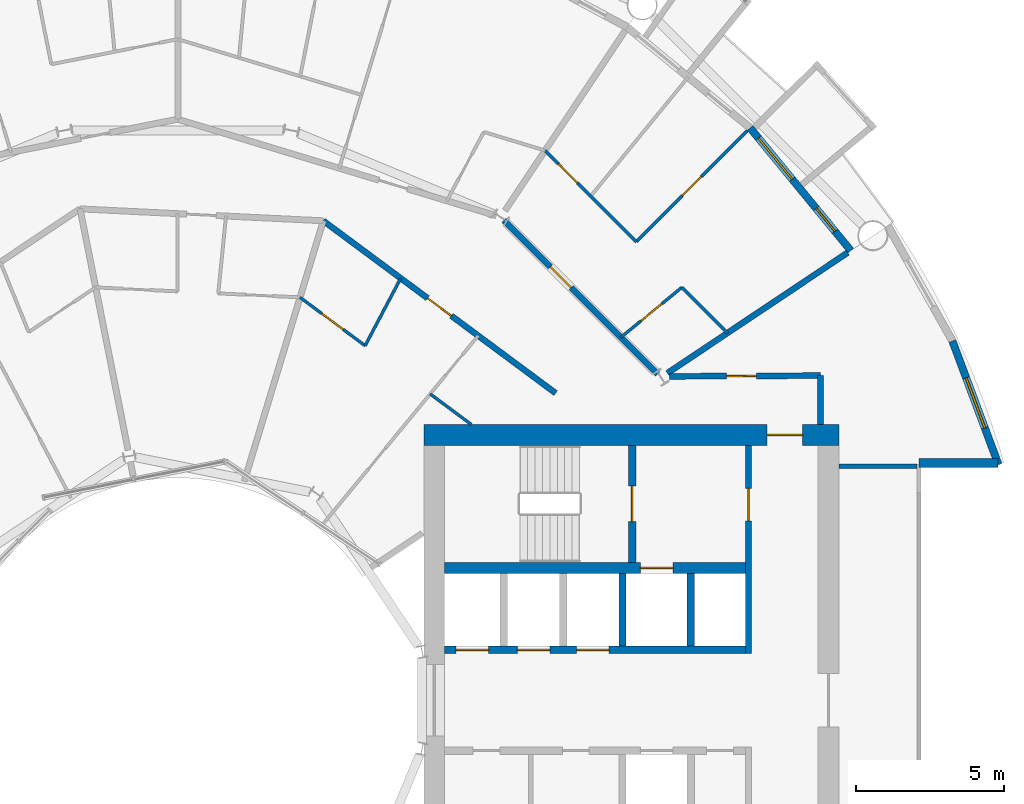
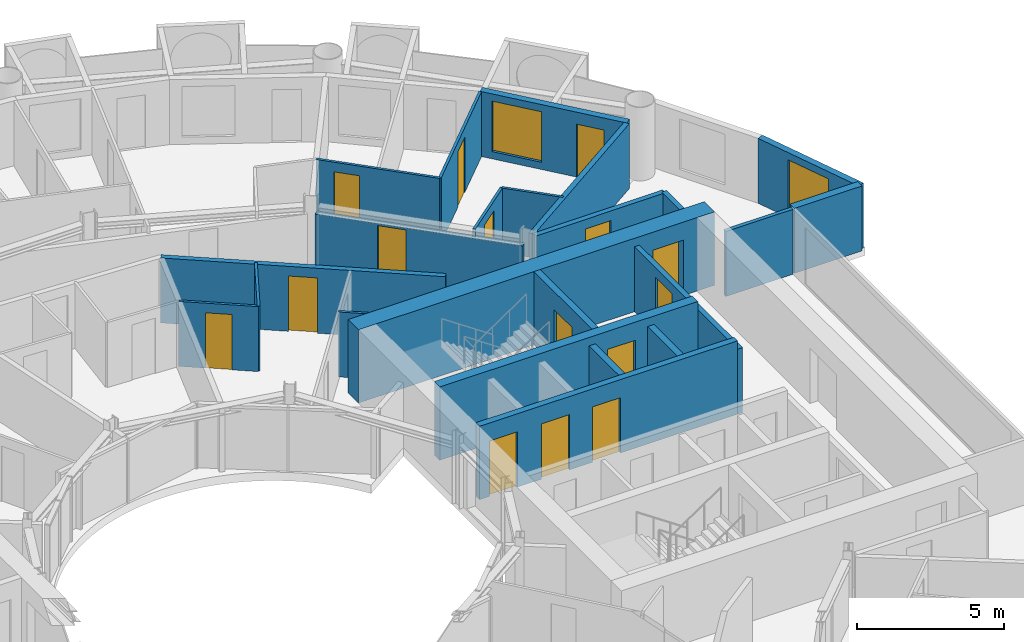
# One storey, part 21 of 26: 23 walls, 15 doors, 2 windows, 17 openings.
"""IFC4 building model written with IfcOpenShell, lengths in metres."""

from ifc_helpers import new_model, si_unit, direction, frame, frame_2d, origin, place, context, subcontext, project, spatial, rectangle, extrude, material, layer, layer_set, type_object, element, fill, save


model = new_model("IFC4")

# Units and contexts
model_context = context("Model", 3, precision=1e-05, world=origin(), true_north=direction((0.0, 1.0)))
body_context = subcontext(model_context, "Body", "Model", "MODEL_VIEW")
ifc_project = project(units=[si_unit("LENGTHUNIT", "METRE"), si_unit("AREAUNIT", "SQUARE_METRE"), si_unit("VOLUMEUNIT", "CUBIC_METRE"), si_unit("PLANEANGLEUNIT", "RADIAN"), si_unit("MASSUNIT", "GRAM", prefix="KILO")], contexts=[model_context])

# Site, building, storey
site_placement = place(None, origin())
site = spatial("IfcSite", under=ifc_project, at=site_placement, CompositionType="ELEMENT")
building_placement = place(site_placement, origin())
building = spatial("IfcBuilding", under=site, at=building_placement, Name="Maasbend Ring Residences", CompositionType="ELEMENT")
storey_placement = place(building_placement, frame((0.0, 0.0, 88.0)))
storey = spatial("IfcBuildingStorey", under=building, at=storey_placement, Name="L25", CompositionType="ELEMENT", Elevation=88.0)

# Wall, openings, doors
ifc_material_1 = material(Name="Concrete C70/85", Category="concrete")
ifc_layer_1 = layer(ifc_material_1, 0.25)
ifc_layer_set_1 = layer_set([ifc_layer_1], Name="Concrete C70/85")
wall_type_1 = type_object("IfcWallType", Name="CORE WALL 250 C70/85", PredefinedType="SHEAR", material=ifc_layer_set_1)
wall_1_placement = place(storey_placement, frame((9.0, 1.699951171875, 0.0), z_axis=(0.0, 0.0, 1.0), x_axis=(1.0, 0.0, 0.0)))
wall_1 = element("IfcWall", 1, at=wall_1_placement, inside=storey, type_object=wall_type_1, Name="L25 core E wall SPN", PredefinedType="SHEAR", context=body_context, shape_type="SweptSolid", body=[
    extrude(rectangle(XDim=10.14990234375, YDim=0.25, at=frame_2d((5.074951171875, 0.0))), origin(), (0.0, 0.0, 1.0), 3.050048828125),
])
opening_1_placement = place(wall_1_placement, frame((0.387451171875, 0.0, 0.0)))
opening_1 = element("IfcOpeningElement", 2, at=opening_1_placement, cuts=wall_1, Name="Opening LD-E2501", PredefinedType="OPENING", context=body_context, shape_type="SweptSolid", body=[
    extrude(rectangle(XDim=1.10009765625, YDim=2.300048828125, at=frame_2d((0.550048828125, 1.14990234375))), frame((0.0, 0.135009765625, 0.0), z_axis=(0.0, -1.0, 0.0), x_axis=(1.0, 0.0, 0.0)), (0.0, 0.0, 1.0), 0.27001953125),
])
opening_2_placement = place(wall_1_placement, frame((2.449951171875, 0.0, 0.0)))
opening_2 = element("IfcOpeningElement", 3, at=opening_2_placement, cuts=wall_1, Name="Opening LD-E2502", PredefinedType="OPENING", context=body_context, shape_type="SweptSolid", body=[
    extrude(rectangle(XDim=1.10009765625, YDim=2.300048828125, at=frame_2d((0.550048828125, 1.14990234375))), frame((0.0, 0.135009765625, 0.0), z_axis=(0.0, -1.0, 0.0), x_axis=(1.0, 0.0, 0.0)), (0.0, 0.0, 1.0), 0.27001953125),
])
opening_3_placement = place(wall_1_placement, frame((4.449951171875, 0.0, 0.0)))
opening_3 = element("IfcOpeningElement", 4, at=opening_3_placement, cuts=wall_1, Name="Opening LD-E2503", PredefinedType="OPENING", context=body_context, shape_type="SweptSolid", body=[
    extrude(rectangle(XDim=1.10009765625, YDim=2.300048828125, at=frame_2d((0.550048828125, 1.14990234375))), frame((0.0, 0.135009765625, 0.0), z_axis=(0.0, -1.0, 0.0), x_axis=(1.0, 0.0, 0.0)), (0.0, 0.0, 1.0), 0.27001953125),
])
ifc_material_2 = material(Name="Stainless steel 316", Category="steel")
door_type_1 = type_object("IfcDoorType", Name="LANDING DOOR 1100 X 2300 FD60", OperationType="DOUBLE_DOOR_SLIDING", PredefinedType="DOOR", material=ifc_material_2)
door_1_placement = place(opening_1_placement, origin())
door_1 = element("IfcDoor", 5, at=door_1_placement, inside=storey, type_object=door_type_1, Name="Landing door LR-E1 L25", OperationType="DOUBLE_DOOR_SLIDING", OverallHeight=2.300048828125, OverallWidth=1.10009765625, PredefinedType="DOOR", context=body_context, shape_type="SweptSolid", body=[
    extrude(rectangle(XDim=1.10009765625, YDim=2.300048828125, at=frame_2d((0.550048828125, 1.14990234375))), frame((0.0, 0.02490234375, 0.0), z_axis=(0.0, -1.0, 0.0), x_axis=(1.0, 0.0, 0.0)), (0.0, 0.0, 1.0), 0.050048828125),
])
fill(opening_1, door_1)
door_2_placement = place(opening_2_placement, origin())
door_2 = element("IfcDoor", 6, at=door_2_placement, inside=storey, type_object=door_type_1, Name="Landing door LR-E2 L25", OperationType="DOUBLE_DOOR_SLIDING", OverallHeight=2.300048828125, OverallWidth=1.10009765625, PredefinedType="DOOR", context=body_context, shape_type="SweptSolid", body=[
    extrude(rectangle(XDim=1.10009765625, YDim=2.300048828125, at=frame_2d((0.550048828125, 1.14990234375))), frame((0.0, 0.02490234375, 0.0), z_axis=(0.0, -1.0, 0.0), x_axis=(1.0, 0.0, 0.0)), (0.0, 0.0, 1.0), 0.050048828125),
])
fill(opening_2, door_2)
door_3_placement = place(opening_3_placement, origin())
door_3 = element("IfcDoor", 7, at=door_3_placement, inside=storey, type_object=door_type_1, Name="Landing door LR-E3 L25", OperationType="DOUBLE_DOOR_SLIDING", OverallHeight=2.300048828125, OverallWidth=1.10009765625, PredefinedType="DOOR", context=body_context, shape_type="SweptSolid", body=[
    extrude(rectangle(XDim=1.10009765625, YDim=2.300048828125, at=frame_2d((0.550048828125, 1.14990234375))), frame((0.0, 0.02490234375, 0.0), z_axis=(0.0, -1.0, 0.0), x_axis=(1.0, 0.0, 0.0)), (0.0, 0.0, 1.0), 0.050048828125),
])
fill(opening_3, door_3)

# Wall, opening, door
wall_2_placement = place(storey_placement, frame((15.324951171875, 4.64990234375, 0.0), z_axis=(0.0, 0.0, 1.0), x_axis=(0.0, 1.0, 0.0)))
wall_2 = element("IfcWall", 8, at=wall_2_placement, inside=storey, type_object=wall_type_1, Name="L25 core E wall STEN", PredefinedType="SHEAR", context=body_context, shape_type="SweptSolid", body=[
    extrude(rectangle(XDim=3.9501953125, YDim=0.25, at=frame_2d((1.97509765625, 0.0))), origin(), (0.0, 0.0, 1.0), 3.050048828125),
])
opening_4_placement = place(wall_2_placement, frame((1.375, 0.0, 0.0)))
opening_4 = element("IfcOpeningElement", 9, at=opening_4_placement, cuts=wall_2, Name="Opening D-E2510", PredefinedType="OPENING", context=body_context, shape_type="SweptSolid", body=[
    extrude(rectangle(XDim=1.199951171875, YDim=2.300048828125, at=frame_2d((0.60009765625, 1.14990234375))), frame((0.0, 0.135009765625, 0.0), z_axis=(0.0, -1.0, 0.0), x_axis=(1.0, 0.0, 0.0)), (0.0, 0.0, 1.0), 0.27001953125),
])
ifc_material_3 = material(Name="Steel, powder coated", Category="steel")
door_type_2 = type_object("IfcDoorType", Name="STAIR DOOR 1200 X 2300 FD60", OperationType="NOTDEFINED", PredefinedType="DOOR", material=ifc_material_3)
door_4_placement = place(opening_4_placement, origin())
door_4 = element("IfcDoor", 10, at=door_4_placement, inside=storey, type_object=door_type_2, Name="Stair door ST-E L25", OperationType="SINGLE_SWING_LEFT", OverallHeight=2.300048828125, OverallWidth=1.199951171875, PredefinedType="DOOR", context=body_context, shape_type="SweptSolid", body=[
    extrude(rectangle(XDim=1.199951171875, YDim=2.300048828125, at=frame_2d((0.60009765625, 1.14990234375))), frame((0.0, 0.02490234375, 0.0), z_axis=(0.0, -1.0, 0.0), x_axis=(1.0, 0.0, 0.0)), (0.0, 0.0, 1.0), 0.050048828125),
])
fill(opening_4, door_4)

ifc_material_4 = material(Name="Concrete C70/85", Category="concrete")
ifc_layer_2 = layer(ifc_material_4, 0.375)
ifc_layer_set_2 = layer_set([ifc_layer_2], Name="Concrete C70/85")
wall_type_2 = type_object("IfcWallType", Name="CORE WALL 375 C70/85", PredefinedType="SHEAR", material=ifc_layer_set_2)
wall_3_placement = place(storey_placement, frame((9.0, 4.46240234375, 0.0), z_axis=(0.0, 0.0, 1.0), x_axis=(1.0, 0.0, 0.0)))
wall_3 = element("IfcWall", 11, at=wall_3_placement, inside=storey, type_object=wall_type_2, Name="L25 core E wall BN", PredefinedType="SHEAR", context=body_context, shape_type="SweptSolid", body=[
    extrude(rectangle(XDim=10.14990234375, YDim=0.375, at=frame_2d((5.074951171875, 0.0))), origin(), (0.0, 0.0, 1.0), 3.050048828125),
])
opening_5_placement = place(wall_3_placement, frame((6.60009765625, 0.0, 0.0)))
opening_5 = element("IfcOpeningElement", 12, at=opening_5_placement, cuts=wall_3, Name="Opening LD-E2504", PredefinedType="OPENING", context=body_context, shape_type="SweptSolid", body=[
    extrude(rectangle(XDim=1.10009765625, YDim=2.300048828125, at=frame_2d((0.550048828125, 1.14990234375))), frame((0.0, 0.197509765625, 0.0), z_axis=(0.0, -1.0, 0.0), x_axis=(1.0, 0.0, 0.0)), (0.0, 0.0, 1.0), 0.39501953125),
])
door_5_placement = place(opening_5_placement, origin())
door_5 = element("IfcDoor", 13, at=door_5_placement, inside=storey, type_object=door_type_1, Name="Landing door FF-E L25", OperationType="DOUBLE_DOOR_SLIDING", OverallHeight=2.300048828125, OverallWidth=1.10009765625, PredefinedType="DOOR", context=body_context, shape_type="SweptSolid", body=[
    extrude(rectangle(XDim=1.10009765625, YDim=2.300048828125, at=frame_2d((0.550048828125, 1.14990234375))), frame((0.0, 0.02490234375, 0.0), z_axis=(0.0, -1.0, 0.0), x_axis=(1.0, 0.0, 0.0)), (0.0, 0.0, 1.0), 0.050048828125),
])
fill(opening_5, door_5)

ifc_material_5 = material(Name="Concrete C70/85", Category="concrete")
ifc_layer_3 = layer(ifc_material_5, 0.699951171875)
ifc_layer_set_3 = layer_set([ifc_layer_3], Name="Concrete C70/85")
wall_type_3 = type_object("IfcWallType", Name="CORE WALL 700 C70/85", PredefinedType="SHEAR", material=ifc_layer_set_3)
wall_4_placement = place(storey_placement, frame((22.300048828125, 8.949951171875, 0.0), z_axis=(0.0, 0.0, 1.0), x_axis=(-1.0, 0.0, 0.0)))
wall_4 = element("IfcWall", 14, at=wall_4_placement, inside=storey, type_object=wall_type_3, Name="L25 core E wall PN", PredefinedType="SHEAR", context=body_context, shape_type="SweptSolid", body=[
    extrude(rectangle(XDim=14.0, YDim=0.699951171875, at=frame_2d((7.0, 0.0))), origin(), (0.0, 0.0, 1.0), 3.050048828125),
])
opening_6_placement = place(wall_4_placement, frame((1.22509765625, 0.0, 0.0)))
opening_6 = element("IfcOpeningElement", 15, at=opening_6_placement, cuts=wall_4, Name="Opening D-E2514", PredefinedType="OPENING", context=body_context, shape_type="SweptSolid", body=[
    extrude(rectangle(XDim=1.199951171875, YDim=2.300048828125, at=frame_2d((0.60009765625, 1.14990234375))), frame((0.0, 0.35986328125, 0.0), z_axis=(0.0, -1.0, 0.0), x_axis=(1.0, 0.0, 0.0)), (0.0, 0.0, 1.0), 0.719970703125),
])
ifc_material_6 = material(Name="Steel, powder coated", Category="steel")
door_type_3 = type_object("IfcDoorType", Name="CORRIDOR DOOR 1200 X 2300 FD30S", OperationType="NOTDEFINED", PredefinedType="DOOR", material=ifc_material_6)
door_6_placement = place(opening_6_placement, origin())
door_6 = element("IfcDoor", 16, at=door_6_placement, inside=storey, type_object=door_type_3, Name="Corridor door L25", OperationType="SINGLE_SWING_RIGHT", OverallHeight=2.300048828125, OverallWidth=1.199951171875, PredefinedType="DOOR", context=body_context, shape_type="SweptSolid", body=[
    extrude(rectangle(XDim=1.199951171875, YDim=2.300048828125, at=frame_2d((0.60009765625, 1.14990234375))), frame((0.0, 0.02490234375, 0.0), z_axis=(0.0, -1.0, 0.0), x_axis=(1.0, 0.0, 0.0)), (0.0, 0.0, 1.0), 0.050048828125),
])
fill(opening_6, door_6)

# Wall
ifc_material_7 = material(Name="Concrete C30/37", Category="concrete")
ifc_layer_4 = layer(ifc_material_7, 0.199951171875)
ifc_layer_set_4 = layer_set([ifc_layer_4], Name="Concrete C30/37")
wall_type_4 = type_object("IfcWallType", Name="CORRIDOR WALL 200 CONCRETE", PredefinedType="PARTITIONING", material=ifc_layer_set_4)
wall_5_placement = place(storey_placement, frame((21.675048828125, 9.300048828125, 0.0), z_axis=(0.0, 0.0, 1.0), x_axis=(0.0, 1.0, 0.0)))
element("IfcWall", 17, at=wall_5_placement, inside=storey, type_object=wall_type_4, Name="U-L25-w006", PredefinedType="PARTITIONING", context=body_context, shape_type="SweptSolid", body=[
    extrude(rectangle(XDim=1.64990234375, YDim=0.199951171875, at=frame_2d((0.824951171875, 0.0))), origin(), (0.0, 0.0, 1.0), 2.699951171875),
])

# Wall, opening, door
wall_6_placement = place(storey_placement, frame((16.587890625, 10.925048828125, 0.0), z_axis=(0.0, 0.0, 1.0), x_axis=(0.999988019025, 0.004895079807, 0.0)))
wall_6 = element("IfcWall", 18, at=wall_6_placement, inside=storey, type_object=wall_type_4, Name="U-L25-w087", PredefinedType="PARTITIONING", context=body_context, shape_type="SweptSolid", body=[
    extrude(rectangle(XDim=5.087158203125, YDim=0.199951171875, at=frame_2d((2.54345703125, 0.0))), origin(), (0.0, 0.0, 1.0), 2.699951171875),
])
opening_7_placement = place(wall_6_placement, frame((1.925048828125, 0.0, 0.0)))
opening_7 = element("IfcOpeningElement", 19, at=opening_7_placement, cuts=wall_6, Name="Opening D-2566", PredefinedType="OPENING", context=body_context, shape_type="SweptSolid", body=[
    extrude(rectangle(XDim=1.0, YDim=2.300048828125, at=frame_2d((0.5, 1.14990234375))), frame((0.0, 0.10986328125, 0.0), z_axis=(0.0, -1.0, 0.0), x_axis=(1.0, 0.0, 0.0)), (0.0, 0.0, 1.0), 0.219970703125),
])
ifc_material_8 = material(Name="Timber, painted", Category="wood")
door_type_4 = type_object("IfcDoorType", Name="ROOM DOOR 1000 X 2300", OperationType="NOTDEFINED", PredefinedType="DOOR", material=ifc_material_8)
door_7_placement = place(opening_7_placement, origin())
door_7 = element("IfcDoor", 20, at=door_7_placement, inside=storey, type_object=door_type_4, Name="D-2566", OperationType="SINGLE_SWING_LEFT", OverallHeight=2.300048828125, OverallWidth=1.0, PredefinedType="DOOR", context=body_context, shape_type="SweptSolid", body=[
    extrude(rectangle(XDim=1.0, YDim=2.300048828125, at=frame_2d((0.5, 1.14990234375))), frame((0.0, 0.02490234375, 0.0), z_axis=(0.0, -1.0, 0.0), x_axis=(1.0, 0.0, 0.0)), (0.0, 0.0, 1.0), 0.050048828125),
])
fill(opening_7, door_7)

wall_7_placement = place(storey_placement, frame((4.906005859375, 16.172119140625, 0.0), z_axis=(0.0, 0.0, 1.0), x_axis=(0.803191461888, -0.595720971219, 0.0)))
wall_7 = element("IfcWall", 21, at=wall_7_placement, inside=storey, type_object=wall_type_4, Name="U-L25-w096", PredefinedType="PARTITIONING", context=body_context, shape_type="SweptSolid", body=[
    extrude(rectangle(XDim=9.760009765625, YDim=0.199951171875, at=frame_2d((4.8798828125, 0.0))), origin(), (0.0, 0.0, 1.0), 2.699951171875),
])
opening_8_placement = place(wall_7_placement, frame((4.3798828125, 0.0, 0.0)))
opening_8 = element("IfcOpeningElement", 22, at=opening_8_placement, cuts=wall_7, Name="Opening D-2521", PredefinedType="OPENING", context=body_context, shape_type="SweptSolid", body=[
    extrude(rectangle(XDim=1.0, YDim=2.300048828125, at=frame_2d((0.5, 1.14990234375))), frame((0.0, 0.10986328125, 0.0), z_axis=(0.0, -1.0, 0.0), x_axis=(1.0, 0.0, 0.0)), (0.0, 0.0, 1.0), 0.219970703125),
])
ifc_material_9 = material(Name="Timber, fire-rated, painted", Category="wood")
door_type_5 = type_object("IfcDoorType", Name="FLAT ENTRANCE DOOR 1000 X 2300 FIRE-RATED", OperationType="NOTDEFINED", PredefinedType="DOOR", material=ifc_material_9)
door_8_placement = place(opening_8_placement, origin())
door_8 = element("IfcDoor", 23, at=door_8_placement, inside=storey, type_object=door_type_5, Name="D-2521", OperationType="SINGLE_SWING_LEFT", OverallHeight=2.300048828125, OverallWidth=1.0, PredefinedType="DOOR", context=body_context, shape_type="SweptSolid", body=[
    extrude(rectangle(XDim=1.0, YDim=2.300048828125, at=frame_2d((0.5, 1.14990234375))), frame((0.0, 0.02490234375, 0.0), z_axis=(0.0, -1.0, 0.0), x_axis=(1.0, 0.0, 0.0)), (0.0, 0.0, 1.0), 0.050048828125),
])
fill(opening_8, door_8)

wall_8_placement = place(storey_placement, frame((11.0, 16.18603515625, 0.0), z_axis=(0.0, 0.0, 1.0), x_axis=(0.707106781187, -0.707106781187, 0.0)))
wall_8 = element("IfcWall", 24, at=wall_8_placement, inside=storey, type_object=wall_type_4, Name="U-L25-w101", PredefinedType="PARTITIONING", context=body_context, shape_type="SweptSolid", body=[
    extrude(rectangle(XDim=7.334228515625, YDim=0.199951171875, at=frame_2d((3.6669921875, 0.0))), origin(), (0.0, 0.0, 1.0), 2.3798828125),
])
opening_9_placement = place(wall_8_placement, frame((2.2109375, 0.0, 0.0)))
opening_9 = element("IfcOpeningElement", 25, at=opening_9_placement, cuts=wall_8, Name="Opening D-2501", PredefinedType="OPENING", context=body_context, shape_type="SweptSolid", body=[
    extrude(rectangle(XDim=1.0, YDim=2.300048828125, at=frame_2d((0.5, 1.14990234375))), frame((0.0, 0.10986328125, 0.0), z_axis=(0.0, -1.0, 0.0), x_axis=(1.0, 0.0, 0.0)), (0.0, 0.0, 1.0), 0.219970703125),
])
door_9_placement = place(opening_9_placement, origin())
door_9 = element("IfcDoor", 26, at=door_9_placement, inside=storey, type_object=door_type_5, Name="D-2501", OperationType="SINGLE_SWING_LEFT", OverallHeight=2.300048828125, OverallWidth=1.0, PredefinedType="DOOR", context=body_context, shape_type="SweptSolid", body=[
    extrude(rectangle(XDim=1.0, YDim=2.300048828125, at=frame_2d((0.5, 1.14990234375))), frame((0.0, 0.02490234375, 0.0), z_axis=(0.0, -1.0, 0.0), x_axis=(1.0, 0.0, 0.0)), (0.0, 0.0, 1.0), 0.050048828125),
])
fill(opening_9, door_9)

# Wall, openings, door, window
ifc_material_10 = material(Name="Aluminium clad insulated panel", Category="aluminium")
ifc_layer_5 = layer(ifc_material_10, 0.25)
ifc_layer_set_5 = layer_set([ifc_layer_5], Name="EW-GL")
wall_type_5 = type_object("IfcWallType", Name="EW-GL", PredefinedType="SOLIDWALL", material=ifc_layer_set_5)
wall_9_placement = place(storey_placement, frame((22.698974609375, 15.1669921875, 0.0), z_axis=(0.0, 0.0, 1.0), x_axis=(-0.634382322723, 0.773019449054, 0.0)))
wall_9 = element("IfcWall", 27, at=wall_9_placement, inside=storey, type_object=wall_type_5, Name="External wall N01", PredefinedType="SOLIDWALL", context=body_context, shape_type="SweptSolid", body=[
    extrude(rectangle(XDim=5.351806640625, YDim=0.25, at=frame_2d((2.67578125, 0.0))), origin(), (0.0, 0.0, 1.0), 2.699951171875),
])
opening_10_placement = place(wall_9_placement, frame((0.841064453125, 0.0, 0.0)))
opening_10 = element("IfcOpeningElement", 28, at=opening_10_placement, cuts=wall_9, Name="Opening D-LG", PredefinedType="OPENING", context=body_context, shape_type="SweptSolid", body=[
    extrude(rectangle(XDim=1.0, YDim=2.199951171875, at=frame_2d((0.5, 1.10009765625))), frame((0.0, 0.135009765625, 0.0), z_axis=(0.0, -1.0, 0.0), x_axis=(1.0, 0.0, 0.0)), (0.0, 0.0, 1.0), 0.27001953125),
])
opening_11_placement = place(wall_9_placement, frame((3.110595703125, 0.0, 0.300048828125)))
opening_11 = element("IfcOpeningElement", 29, at=opening_11_placement, cuts=wall_9, Name="Opening W-BX", PredefinedType="OPENING", context=body_context, shape_type="SweptSolid", body=[
    extrude(rectangle(XDim=1.800048828125, YDim=2.10009765625, at=frame_2d((0.89990234375, 1.050048828125))), frame((0.0, 0.135009765625, 0.0), z_axis=(0.0, -1.0, 0.0), x_axis=(1.0, 0.0, 0.0)), (0.0, 0.0, 1.0), 0.27001953125),
])
ifc_material_11 = material(Name="Aluminium and clear glass", Category="aluminium")
door_type_6 = type_object("IfcDoorType", Name="D-LG", OperationType="SINGLE_SWING_LEFT", PredefinedType="DOOR", material=ifc_material_11)
door_10_placement = place(opening_10_placement, origin())
door_10 = element("IfcDoor", 30, at=door_10_placement, inside=storey, type_object=door_type_6, Name="Loggia door N01", OperationType="SINGLE_SWING_LEFT", OverallHeight=2.199951171875, OverallWidth=1.0, PredefinedType="DOOR", context=body_context, shape_type="SweptSolid", body=[
    extrude(rectangle(XDim=1.0, YDim=2.199951171875, at=frame_2d((0.5, 1.10009765625))), frame((0.0, 0.02490234375, 0.0), z_axis=(0.0, -1.0, 0.0), x_axis=(1.0, 0.0, 0.0)), (0.0, 0.0, 1.0), 0.050048828125),
])
fill(opening_10, door_10)
ifc_material_12 = material(Name="Aluminium and clear glass", Category="aluminium")
window_type = type_object("IfcWindowType", Name="W-BX", PartitioningType="DOUBLE_PANEL_VERTICAL", PredefinedType="WINDOW", material=ifc_material_12)
window_1_placement = place(opening_11_placement, origin())
window_1 = element("IfcWindow", 31, at=window_1_placement, inside=storey, type_object=window_type, Name="Window N02 room to box", OverallHeight=2.10009765625, OverallWidth=1.800048828125, PartitioningType="SINGLE_PANEL", PredefinedType="WINDOW", context=body_context, shape_type="SweptSolid", body=[
    extrude(rectangle(XDim=1.800048828125, YDim=2.10009765625, at=frame_2d((0.89990234375, 1.050048828125))), frame((0.0, 0.030029296875, 0.0), z_axis=(0.0, -1.0, 0.0), x_axis=(1.0, 0.0, 0.0)), (0.0, 0.0, 1.0), 0.06005859375),
])
fill(opening_11, window_1)

# Wall, opening, window
ifc_material_13 = material(Name="Aluminium clad insulated panel", Category="aluminium")
ifc_layer_6 = layer(ifc_material_13, 0.25)
ifc_layer_set_6 = layer_set([ifc_layer_6], Name="EW-HORN")
wall_type_6 = type_object("IfcWallType", Name="EW-HORN", PredefinedType="SOLIDWALL", material=ifc_layer_set_6)
wall_10_placement = place(storey_placement, frame((27.681884765625, 7.945068359375, 0.0), z_axis=(0.0, 0.0, 1.0), x_axis=(-0.349247811493, 0.937030397675, 0.0)))
wall_10 = element("IfcWall", 32, at=wall_10_placement, inside=storey, type_object=wall_type_6, Name="Horn wall 1.1", PredefinedType="SOLIDWALL", context=body_context, shape_type="SweptSolid", body=[
    extrude(rectangle(XDim=4.4521484375, YDim=0.25, at=frame_2d((2.22607421875, 0.0))), origin(), (0.0, 0.0, 1.0), 2.699951171875),
])
opening_12_placement = place(wall_10_placement, frame((1.32666015625, 0.0, 0.300048828125)))
opening_12 = element("IfcOpeningElement", 33, at=opening_12_placement, cuts=wall_10, Name="Opening W-BX", PredefinedType="OPENING", context=body_context, shape_type="SweptSolid", body=[
    extrude(rectangle(XDim=1.800048828125, YDim=2.10009765625, at=frame_2d((0.89990234375, 1.050048828125))), frame((0.0, 0.135009765625, 0.0), z_axis=(0.0, -1.0, 0.0), x_axis=(1.0, 0.0, 0.0)), (0.0, 0.0, 1.0), 0.27001953125),
])
window_2_placement = place(opening_12_placement, origin())
window_2 = element("IfcWindow", 34, at=window_2_placement, inside=storey, type_object=window_type, Name="Horn window 1.1", OverallHeight=2.10009765625, OverallWidth=1.800048828125, PartitioningType="SINGLE_PANEL", PredefinedType="WINDOW", context=body_context, shape_type="SweptSolid", body=[
    extrude(rectangle(XDim=1.800048828125, YDim=2.10009765625, at=frame_2d((0.89990234375, 1.050048828125))), frame((0.0, 0.030029296875, 0.0), z_axis=(0.0, -1.0, 0.0), x_axis=(1.0, 0.0, 0.0)), (0.0, 0.0, 1.0), 0.06005859375),
])
fill(opening_12, window_2)

# Walls
ifc_material_14 = material(Name="Aluminium clad insulated panel", Category="aluminium")
ifc_layer_7 = layer(ifc_material_14, 0.300048828125)
ifc_layer_set_7 = layer_set([ifc_layer_7], Name="EW-RET")
wall_type_7 = type_object("IfcWallType", Name="EW-RET", PredefinedType="SOLIDWALL", material=ifc_layer_set_7)
wall_11_placement = place(storey_placement, frame((25.0, 8.0, 0.0), z_axis=(0.0, 0.0, 1.0), x_axis=(1.0, 0.0, 0.0)))
element("IfcWall", 35, at=wall_11_placement, inside=storey, type_object=wall_type_7, Name="Notch return wall east north", PredefinedType="SOLIDWALL", context=body_context, shape_type="SweptSolid", body=[
    extrude(rectangle(XDim=2.6669921875, YDim=0.300048828125, at=frame_2d((1.33349609375, 0.0))), origin(), (0.0, 0.0, 1.0), 2.699951171875),
])
ifc_material_15 = material(Name="Gypsum board on steel studs", Category="steel")
ifc_layer_8 = layer(ifc_material_15, 0.10009765625)
ifc_layer_set_8 = layer_set([ifc_layer_8], Name="PARTITION 100 GYPSUM")
wall_type_8 = type_object("IfcWallType", Name="PARTITION 100 GYPSUM", PredefinedType="PARTITIONING", material=ifc_layer_set_8)
wall_12_placement = place(storey_placement, frame((6.318115234375, 11.9599609375, 0.0), z_axis=(0.0, 0.0, 1.0), x_axis=(0.467001992543, 0.884256263173, 0.0)))
element("IfcWall", 36, at=wall_12_placement, inside=storey, type_object=wall_type_8, Name="U-L25-w072", PredefinedType="PARTITIONING", context=body_context, shape_type="SweptSolid", body=[
    extrude(rectangle(XDim=2.571533203125, YDim=0.10009765625, at=frame_2d((1.28564453125, 0.0))), origin(), (0.0, 0.0, 1.0), 2.699951171875),
])

# Wall, opening, door
wall_13_placement = place(storey_placement, frame((14.945068359375, 12.240966796875, 0.0), z_axis=(0.0, 0.0, 1.0), x_axis=(0.77367517848, 0.633582447834, 0.0)))
wall_13 = element("IfcWall", 37, at=wall_13_placement, inside=storey, type_object=wall_type_8, Name="U-L25-w079", PredefinedType="PARTITIONING", context=body_context, shape_type="SweptSolid", body=[
    extrude(rectangle(XDim=2.6611328125, YDim=0.10009765625, at=frame_2d((1.33056640625, 0.0))), origin(), (0.0, 0.0, 1.0), 2.699951171875),
])
opening_13_placement = place(wall_13_placement, frame((0.881103515625, 0.0, 0.0)))
opening_13 = element("IfcOpeningElement", 38, at=opening_13_placement, cuts=wall_13, Name="Opening D-2502", PredefinedType="OPENING", context=body_context, shape_type="SweptSolid", body=[
    extrude(rectangle(XDim=0.89990234375, YDim=2.300048828125, at=frame_2d((0.449951171875, 1.14990234375))), frame((0.0, 0.06005859375, 0.0), z_axis=(0.0, -1.0, 0.0), x_axis=(1.0, 0.0, 0.0)), (0.0, 0.0, 1.0), 0.1201171875),
])
ifc_material_16 = material(Name="Timber, painted", Category="wood")
door_type_7 = type_object("IfcDoorType", Name="INTERNAL DOOR 900 X 2300", OperationType="NOTDEFINED", PredefinedType="DOOR", material=ifc_material_16)
door_11_placement = place(opening_13_placement, origin())
door_11 = element("IfcDoor", 39, at=door_11_placement, inside=storey, type_object=door_type_7, Name="D-2502", OperationType="SINGLE_SWING_LEFT", OverallHeight=2.300048828125, OverallWidth=0.89990234375, PredefinedType="DOOR", context=body_context, shape_type="SweptSolid", body=[
    extrude(rectangle(XDim=0.89990234375, YDim=2.300048828125, at=frame_2d((0.449951171875, 1.14990234375))), frame((0.0, 0.02490234375, 0.0), z_axis=(0.0, -1.0, 0.0), x_axis=(1.0, 0.0, 0.0)), (0.0, 0.0, 1.0), 0.050048828125),
])
fill(opening_13, door_11)

wall_14_placement = place(storey_placement, frame((15.465087890625, 15.465087890625, 0.0), z_axis=(0.0, 0.0, 1.0), x_axis=(0.707106781187, 0.707106781187, 0.0)))
wall_14 = element("IfcWall", 40, at=wall_14_placement, inside=storey, type_object=wall_type_8, Name="U-L25-w081", PredefinedType="PARTITIONING", context=body_context, shape_type="SweptSolid", body=[
    extrude(rectangle(XDim=5.3046875, YDim=0.10009765625, at=frame_2d((2.65234375, 0.0))), origin(), (0.0, 0.0, 1.0), 2.699951171875),
])
opening_14_placement = place(wall_14_placement, frame((2.201904296875, 0.0, 0.0)))
opening_14 = element("IfcOpeningElement", 41, at=opening_14_placement, cuts=wall_14, Name="Opening D-2503", PredefinedType="OPENING", context=body_context, shape_type="SweptSolid", body=[
    extrude(rectangle(XDim=0.89990234375, YDim=2.300048828125, at=frame_2d((0.449951171875, 1.14990234375))), frame((0.0, 0.06005859375, 0.0), z_axis=(0.0, -1.0, 0.0), x_axis=(1.0, 0.0, 0.0)), (0.0, 0.0, 1.0), 0.1201171875),
])
door_12_placement = place(opening_14_placement, origin())
door_12 = element("IfcDoor", 42, at=door_12_placement, inside=storey, type_object=door_type_7, Name="D-2503", OperationType="SINGLE_SWING_RIGHT", OverallHeight=2.300048828125, OverallWidth=0.89990234375, PredefinedType="DOOR", context=body_context, shape_type="SweptSolid", body=[
    extrude(rectangle(XDim=0.89990234375, YDim=2.300048828125, at=frame_2d((0.449951171875, 1.14990234375))), frame((0.0, 0.02490234375, 0.0), z_axis=(0.0, -1.0, 0.0), x_axis=(1.0, 0.0, 0.0)), (0.0, 0.0, 1.0), 0.050048828125),
])
fill(opening_14, door_12)

wall_15_placement = place(storey_placement, frame((4.1220703125, 13.589111328125, 0.0), z_axis=(0.0, 0.0, 1.0), x_axis=(0.803128348509, -0.595806055542, 0.0)))
wall_15 = element("IfcWall", 43, at=wall_15_placement, inside=storey, type_object=wall_type_8, Name="U-L25-w091", PredefinedType="PARTITIONING", context=body_context, shape_type="SweptSolid", body=[
    extrude(rectangle(XDim=2.734375, YDim=0.10009765625, at=frame_2d((1.3671875, 0.0))), origin(), (0.0, 0.0, 1.0), 2.699951171875),
])
opening_15_placement = place(wall_15_placement, frame((0.9169921875, 0.0, 0.0)))
opening_15 = element("IfcOpeningElement", 44, at=opening_15_placement, cuts=wall_15, Name="Opening D-2522", PredefinedType="OPENING", context=body_context, shape_type="SweptSolid", body=[
    extrude(rectangle(XDim=0.89990234375, YDim=2.300048828125, at=frame_2d((0.449951171875, 1.14990234375))), frame((0.0, 0.06005859375, 0.0), z_axis=(0.0, -1.0, 0.0), x_axis=(1.0, 0.0, 0.0)), (0.0, 0.0, 1.0), 0.1201171875),
])
door_13_placement = place(opening_15_placement, origin())
door_13 = element("IfcDoor", 45, at=door_13_placement, inside=storey, type_object=door_type_7, Name="D-2522", OperationType="SINGLE_SWING_LEFT", OverallHeight=2.300048828125, OverallWidth=0.89990234375, PredefinedType="DOOR", context=body_context, shape_type="SweptSolid", body=[
    extrude(rectangle(XDim=0.89990234375, YDim=2.300048828125, at=frame_2d((0.449951171875, 1.14990234375))), frame((0.0, 0.02490234375, 0.0), z_axis=(0.0, -1.0, 0.0), x_axis=(1.0, 0.0, 0.0)), (0.0, 0.0, 1.0), 0.050048828125),
])
fill(opening_15, door_13)

# Wall
wall_16_placement = place(storey_placement, frame((8.511962890625, 10.33203125, 0.0), z_axis=(0.0, 0.0, 1.0), x_axis=(0.803135014325, -0.595797070121, 0.0)))
element("IfcWall", 46, at=wall_16_placement, inside=storey, type_object=wall_type_8, Name="U-L25-w092", PredefinedType="PARTITIONING", context=body_context, shape_type="SweptSolid", body=[
    extrude(rectangle(XDim=1.732177734375, YDim=0.10009765625, at=frame_2d((0.8662109375, 0.0))), origin(), (0.0, 0.0, 1.0), 2.699951171875),
])

# Wall, opening, door
wall_17_placement = place(storey_placement, frame((12.388916015625, 18.5419921875, 0.0), z_axis=(0.0, 0.0, 1.0), x_axis=(0.707022606819, -0.707190945535, 0.0)))
wall_17 = element("IfcWall", 47, at=wall_17_placement, inside=storey, type_object=wall_type_8, Name="U-L25-w110", PredefinedType="PARTITIONING", context=body_context, shape_type="SweptSolid", body=[
    extrude(rectangle(XDim=4.350830078125, YDim=0.10009765625, at=frame_2d((2.17529296875, 0.0))), origin(), (0.0, 0.0, 1.0), 2.699951171875),
])
opening_16_placement = place(wall_17_placement, frame((0.638916015625, 0.0, 0.0)))
opening_16 = element("IfcOpeningElement", 48, at=opening_16_placement, cuts=wall_17, Name="Opening D-2504", PredefinedType="OPENING", context=body_context, shape_type="SweptSolid", body=[
    extrude(rectangle(XDim=0.89990234375, YDim=2.300048828125, at=frame_2d((0.449951171875, 1.14990234375))), frame((0.0, 0.06005859375, 0.0), z_axis=(0.0, -1.0, 0.0), x_axis=(1.0, 0.0, 0.0)), (0.0, 0.0, 1.0), 0.1201171875),
])
door_14_placement = place(opening_16_placement, origin())
door_14 = element("IfcDoor", 49, at=door_14_placement, inside=storey, type_object=door_type_7, Name="D-2504", OperationType="SINGLE_SWING_LEFT", OverallHeight=2.300048828125, OverallWidth=0.89990234375, PredefinedType="DOOR", context=body_context, shape_type="SweptSolid", body=[
    extrude(rectangle(XDim=0.89990234375, YDim=2.300048828125, at=frame_2d((0.449951171875, 1.14990234375))), frame((0.0, 0.02490234375, 0.0), z_axis=(0.0, -1.0, 0.0), x_axis=(1.0, 0.0, 0.0)), (0.0, 0.0, 1.0), 0.050048828125),
])
fill(opening_16, door_14)

# Walls
wall_18_placement = place(storey_placement, frame((17.006103515625, 13.924072265625, 0.0), z_axis=(0.0, 0.0, 1.0), x_axis=(0.706826194425, -0.707387256653, 0.0)))
element("IfcWall", 50, at=wall_18_placement, inside=storey, type_object=wall_type_8, Name="U-L25-w111", PredefinedType="PARTITIONING", context=body_context, shape_type="SweptSolid", body=[
    extrude(rectangle(XDim=2.17578125, YDim=0.10009765625, at=frame_2d((1.087890625, 0.0))), origin(), (0.0, 0.0, 1.0), 2.699951171875),
])
ifc_material_17 = material(Name="Gypsum board on steel studs", Category="steel")
ifc_layer_9 = layer(ifc_material_17, 0.14990234375)
ifc_layer_set_9 = layer_set([ifc_layer_9], Name="PARTITION 150 EI 60")
wall_type_9 = type_object("IfcWallType", Name="PARTITION 150 EI 60", PredefinedType="PARTITIONING", material=ifc_layer_set_9)
wall_19_placement = place(storey_placement, frame((22.300048828125, 7.89990234375, 0.0), z_axis=(0.0, 0.0, 1.0), x_axis=(1.0, 0.0, 0.0)))
element("IfcWall", 51, at=wall_19_placement, inside=storey, type_object=wall_type_9, Name="L25 core E wall CITN", PredefinedType="PARTITIONING", context=body_context, shape_type="SweptSolid", body=[
    extrude(rectangle(XDim=2.639892578125, YDim=0.14990234375, at=frame_2d((1.31982421875, 0.0))), origin(), (0.0, 0.0, 1.0), 2.699951171875),
])
ifc_material_18 = material(Name="Concrete C30/37", Category="concrete")
ifc_layer_10 = layer(ifc_material_18, 0.199951171875)
ifc_layer_set_10 = layer_set([ifc_layer_10], Name="Concrete C30/37")
wall_type_10 = type_object("IfcWallType", Name="PARTY WALL 200 CONCRETE", PredefinedType="PARTITIONING", material=ifc_layer_set_10)
wall_20_placement = place(storey_placement, frame((16.514892578125, 11.033935546875, 0.0), z_axis=(0.0, 0.0, 1.0), x_axis=(0.831382022135, 0.555701298605, 0.0)))
element("IfcWall", 52, at=wall_20_placement, inside=storey, type_object=wall_type_10, Name="U-L25-w083", PredefinedType="PARTITIONING", context=body_context, shape_type="SweptSolid", body=[
    extrude(rectangle(XDim=7.313232421875, YDim=0.199951171875, at=frame_2d((3.65673828125, 0.0))), origin(), (0.0, 0.0, 1.0), 2.699951171875),
])

# Wall, opening, door
ifc_material_19 = material(Name="Concrete C30/37", Category="concrete")
ifc_layer_11 = layer(ifc_material_19, 0.199951171875)
ifc_layer_set_11 = layer_set([ifc_layer_11], Name="Concrete C30/37")
wall_type_11 = type_object("IfcWallType", Name="SHAFT WALL 200 EI 120", PredefinedType="SOLIDWALL", material=ifc_layer_set_11)
wall_21_placement = place(storey_placement, frame((19.25, 1.574951171875, 0.0), z_axis=(0.0, 0.0, 1.0), x_axis=(0.0, 1.0, 0.0)))
wall_21 = element("IfcWall", 53, at=wall_21_placement, inside=storey, type_object=wall_type_11, Name="L25 core E wall ENDN", PredefinedType="SOLIDWALL", context=body_context, shape_type="SweptSolid", body=[
    extrude(rectangle(XDim=7.025146484375, YDim=0.199951171875, at=frame_2d((3.5126953125, 0.0))), origin(), (0.0, 0.0, 1.0), 2.699951171875),
])
opening_17_placement = place(wall_21_placement, frame((4.47509765625, 0.0, 0.0)))
opening_17 = element("IfcOpeningElement", 54, at=opening_17_placement, cuts=wall_21, Name="Opening D-E2512", PredefinedType="OPENING", context=body_context, shape_type="SweptSolid", body=[
    extrude(rectangle(XDim=1.10009765625, YDim=2.300048828125, at=frame_2d((0.550048828125, 1.14990234375))), frame((0.0, 0.10986328125, 0.0), z_axis=(0.0, -1.0, 0.0), x_axis=(1.0, 0.0, 0.0)), (0.0, 0.0, 1.0), 0.219970703125),
])
ifc_material_20 = material(Name="Steel, powder coated", Category="steel")
door_type_8 = type_object("IfcDoorType", Name="LOBBY DOOR 1100 X 2300 FD60", OperationType="NOTDEFINED", PredefinedType="DOOR", material=ifc_material_20)
door_15_placement = place(opening_17_placement, origin())
door_15 = element("IfcDoor", 55, at=door_15_placement, inside=storey, type_object=door_type_8, Name="Lobby door L25", OperationType="SINGLE_SWING_LEFT", OverallHeight=2.300048828125, OverallWidth=1.10009765625, PredefinedType="DOOR", context=body_context, shape_type="SweptSolid", body=[
    extrude(rectangle(XDim=1.10009765625, YDim=2.300048828125, at=frame_2d((0.550048828125, 1.14990234375))), frame((0.0, 0.02490234375, 0.0), z_axis=(0.0, -1.0, 0.0), x_axis=(1.0, 0.0, 0.0)), (0.0, 0.0, 1.0), 0.050048828125),
])
fill(opening_17, door_15)

# Walls
ifc_material_21 = material(Name="Concrete C30/37", Category="concrete")
ifc_layer_12 = layer(ifc_material_21, 0.25)
ifc_layer_set_12 = layer_set([ifc_layer_12], Name="Concrete C30/37")
wall_type_12 = type_object("IfcWallType", Name="SHAFT WALL 250 EI 120", PredefinedType="SOLIDWALL", material=ifc_layer_set_12)
for number, where, z_axis, x_axis, name in (
    (56, (15.0, 1.824951171875, 0.0), (0.0, 0.0, 1.0), (0.0, 1.0, 0.0), "L25 core E wall D150N"),
    (57, (17.300048828125, 1.824951171875, 0.0), (0.0, 0.0, 1.0), (0.0, 1.0, 0.0), "L25 core E wall D173N"),
):
    element("IfcWall", number, at=place(storey_placement, frame(where, z_axis=z_axis, x_axis=x_axis)), inside=storey, type_object=wall_type_12, Name=name, PredefinedType="SOLIDWALL", context=body_context, shape_type="SweptSolid", body=[
        extrude(rectangle(XDim=2.449951171875, YDim=0.25, at=frame_2d((1.22509765625, 0.0))), origin(), (0.0, 0.0, 1.0), 2.699951171875),
    ])

save(model, "model.ifc")
